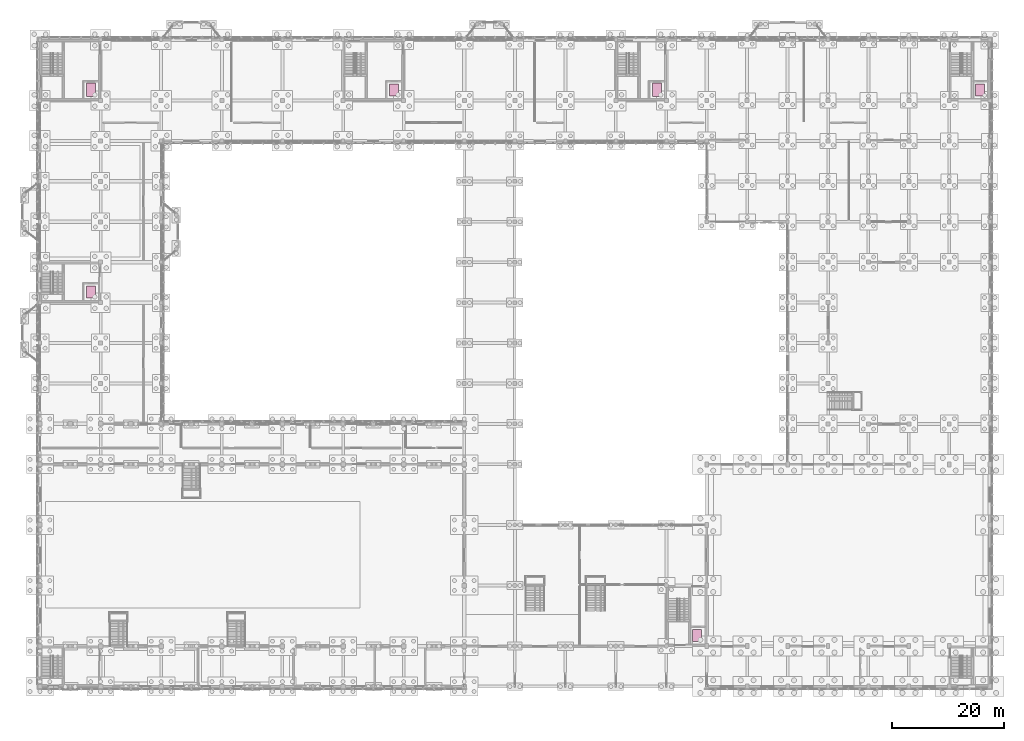
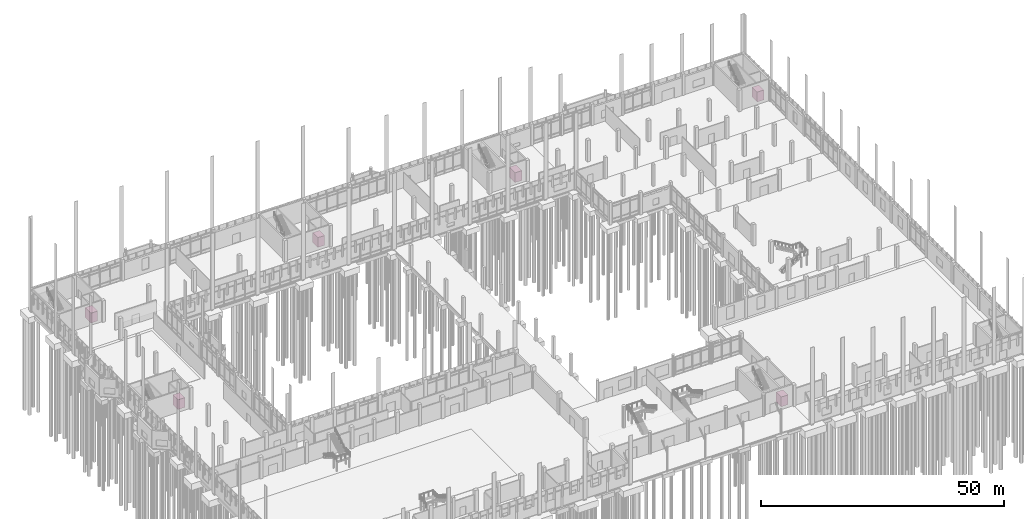
# One storey, part 109 of 109: 6 transport elements.
"""IFC4 building model written with IfcOpenShell, lengths in metres."""

from ifc_helpers import new_model, si_unit, direction, frame, origin, origin_2d, place, context, subcontext, project, spatial, rectangle, extrude, material, type_object, element, save


model = new_model("IFC4")

# Units and contexts
model_context = context("Model", 3, precision=1e-05, world=origin(), true_north=direction((0.0, 1.0)))
body_context = subcontext(model_context, "Body", "Model", "MODEL_VIEW")
ifc_project = project(units=[si_unit("LENGTHUNIT", "METRE"), si_unit("AREAUNIT", "SQUARE_METRE"), si_unit("VOLUMEUNIT", "CUBIC_METRE"), si_unit("PLANEANGLEUNIT", "RADIAN"), si_unit("MASSUNIT", "GRAM", prefix="KILO")], contexts=[model_context])

# Site, building, storey
site_placement = place(None, origin())
site = spatial("IfcSite", under=ifc_project, at=site_placement, CompositionType="ELEMENT")
building_placement = place(site_placement, origin())
building = spatial("IfcBuilding", under=site, at=building_placement, Name="Lusvemor Sports Hall", CompositionType="ELEMENT")
storey_placement = place(building_placement, origin())
storey = spatial("IfcBuildingStorey", under=building, at=storey_placement, Name="L00", CompositionType="ELEMENT", Elevation=0.0)

# Transport elements
ifc_material_1 = material(Name="Brushed stainless-steel sliding lift landing door", Category="steel")
transport_element_type_1 = type_object("IfcTransportElementType", Name="LIFT_FF_2000", PredefinedType="ELEVATOR", material=ifc_material_1)
for number, where, z_axis, x_axis, name in (
    (1, (9.10009765625, 106.300048828125, 0.0), (0.0, 0.0, 1.0), (1.0, 0.0, 0.0), "Emergency Lift LF-01"),
    (2, (109.89990234375, 106.300048828125, 0.0), (0.0, 0.0, 1.0), (1.0, 0.0, 0.0), "Emergency Lift LF-02"),
):
    element("IfcTransportElement", number, at=place(storey_placement, frame(where, z_axis=z_axis, x_axis=x_axis)), inside=storey, type_object=transport_element_type_1, Name=name, PredefinedType="ELEVATOR", context=body_context, shape_type="SweptSolid", body=[
        extrude(rectangle(XDim=1.60009765625, YDim=2.39990234375, at=origin_2d()), origin(), (0.0, 0.0, 1.0), 2.449951171875),
    ])
ifc_material_2 = material(Name="Brushed stainless-steel sliding lift landing door", Category="steel")
transport_element_type_2 = type_object("IfcTransportElementType", Name="LIFT_PAX_1600", PredefinedType="ELEVATOR", material=ifc_material_2)
for number, where, z_axis, x_axis, name in (
    (3, (63.10009765625, 106.300048828125, 0.0), (0.0, 0.0, 1.0), (1.0, 0.0, 0.0), "Passenger Lift LP-01"),
    (4, (9.10009765625, 70.300048828125, 0.0), (0.0, 0.0, 1.0), (1.0, 0.0, 0.0), "Passenger Lift LP-02"),
    (5, (167.5, 106.300048828125, 0.0), (0.0, 0.0, 1.0), (1.0, 0.0, 0.0), "Passenger Lift LP-03"),
    (6, (117.10009765625, 9.10009765625, 0.0), (0.0, 0.0, 1.0), (1.0, 0.0, 0.0), "Passenger Lift LP-04"),
):
    element("IfcTransportElement", number, at=place(storey_placement, frame(where, z_axis=z_axis, x_axis=x_axis)), inside=storey, type_object=transport_element_type_2, Name=name, PredefinedType="ELEVATOR", context=body_context, shape_type="SweptSolid", body=[
        extrude(rectangle(XDim=1.60009765625, YDim=2.10009765625, at=origin_2d()), origin(), (0.0, 0.0, 1.0), 2.449951171875),
    ])

save(model, "model.ifc")
